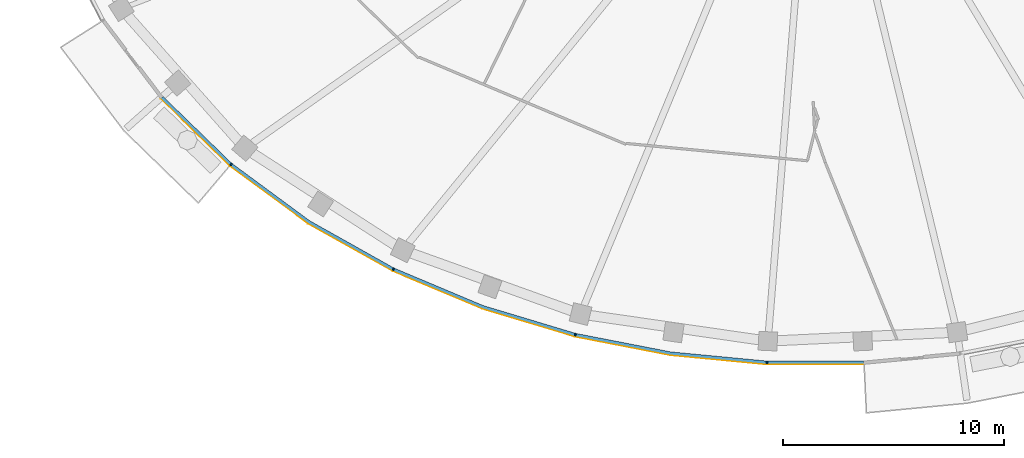
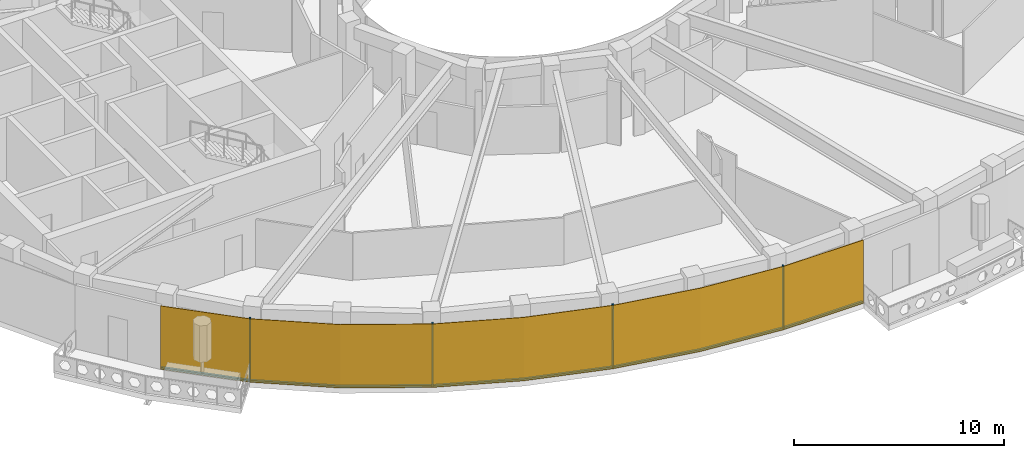
# One storey, part 12 of 20: 9 members, 1 curtain wall.
"""IFC4 building model written with IfcOpenShell, lengths in metres."""

from ifc_helpers import new_model, si_unit, direction, frame, origin, origin_2d, place, context, subcontext, project, spatial, polyline, rectangle, outline, extrude, material, layer, layer_set, material_profile, profile_set, type_object, element, aggregate, save


model = new_model("IFC4")

# Units and contexts
model_context = context("Model", 3, precision=1e-05, world=origin(), true_north=direction((0.0, 1.0)))
body_context = subcontext(model_context, "Body", "Model", "MODEL_VIEW")
ifc_project = project(units=[si_unit("LENGTHUNIT", "METRE"), si_unit("AREAUNIT", "SQUARE_METRE"), si_unit("VOLUMEUNIT", "CUBIC_METRE"), si_unit("PLANEANGLEUNIT", "RADIAN"), si_unit("MASSUNIT", "GRAM", prefix="KILO")], contexts=[model_context])

# Member
ifc_material_1 = material(Name="Aluminium 6063-T6 black anodised", Category="aluminium")
ifc_material_profile = material_profile(ifc_material_1, rectangle(XDim=0.1201171875, YDim=0.06005859375, at=origin_2d()), Name="120x60")
ifc_profile_set = profile_set([ifc_material_profile], Name="Aluminium 6063-T6 black anodised")
member_type_1 = type_object("IfcMemberType", Name="ENV-MULLION-A-120", PredefinedType="MULLION", material=ifc_profile_set)
site_placement = place(None, origin())
building_placement = place(site_placement, origin())
storey_placement = place(building_placement, frame((0.0, 0.0, 323.0)))
member_1_placement = place(storey_placement, frame((-26.403564453125, -18.9130859375, 0.0), z_axis=(0.0, 0.0, 1.0), x_axis=(0.646451313783, 0.762955240435, 0.0)))
member_1 = element("IfcMember", 1, at=member_1_placement, type_object=member_type_1, Name="Mullion A radial 29", PredefinedType="MULLION", context=body_context, shape_type="SweptSolid", body=[
    extrude(rectangle(XDim=0.1201171875, YDim=0.06005859375, at=origin_2d()), origin(), (0.0, 0.0, 1.0), 3.699951171875),
])

member_2_placement = place(storey_placement, frame((-19.06787109375, -23.6474609375, 0.0), z_axis=(0.0, 0.0, 1.0), x_axis=(0.439237769837, 0.898370848563, 0.0)))
member_2 = element("IfcMember", 2, at=member_2_placement, type_object=member_type_1, Name="Mullion A radial 31", PredefinedType="MULLION", context=body_context, shape_type="SweptSolid", body=[
    extrude(rectangle(XDim=0.1201171875, YDim=0.06005859375, at=origin_2d()), origin(), (0.0, 0.0, 1.0), 3.699951171875),
])

member_3_placement = place(storey_placement, frame((-10.84326171875, -26.60498046875, 0.0), z_axis=(0.0, 0.0, 1.0), x_axis=(0.239799081534, 0.970822538106, 0.0)))
member_3 = element("IfcMember", 3, at=member_3_placement, type_object=member_type_1, Name="Mullion A radial 33", PredefinedType="MULLION", context=body_context, shape_type="SweptSolid", body=[
    extrude(rectangle(XDim=0.1201171875, YDim=0.06005859375, at=origin_2d()), origin(), (0.0, 0.0, 1.0), 3.699951171875),
])

member_4_placement = place(storey_placement, frame((-2.188720703125, -27.856201171875, 0.0), z_axis=(0.0, 0.0, 1.0), x_axis=(0.047557873581, 0.998868484166, 0.0)))
member_4 = element("IfcMember", 4, at=member_4_placement, type_object=member_type_1, Name="Mullion A radial 35", PredefinedType="MULLION", context=body_context, shape_type="SweptSolid", body=[
    extrude(rectangle(XDim=0.1201171875, YDim=0.06005859375, at=origin_2d()), origin(), (0.0, 0.0, 1.0), 3.699951171875),
])

ifc_material_2 = material(Name="Aluminium 6063-T6 black anodised", Category="aluminium")
member_type_2 = type_object("IfcMemberType", Name="ENV-TRANSOM-A", PredefinedType="USERDEFINED", material=ifc_material_2)
member_5_placement = place(storey_placement, origin())
member_5 = element("IfcMember", 5, at=member_5_placement, type_object=member_type_2, Name="Transom A radial 28-29", ObjectType="TRANSOM", PredefinedType="USERDEFINED", context=body_context, shape_type="SweptSolid", body=[
    extrude(outline(polyline([(-29.569091796875, -15.9208984375), (-26.46240234375, -18.939208984375), (-26.384765625, -18.847412109375), (-29.47900390625, -15.841064453125), (-29.569091796875, -15.9208984375)])), origin(), (0.0, 0.0, 1.0), 0.10009765625),
])

member_6_placement = place(storey_placement, origin())
member_6 = element("IfcMember", 6, at=member_6_placement, type_object=member_type_2, Name="Transom A radial 29-31", ObjectType="TRANSOM", PredefinedType="USERDEFINED", context=body_context, shape_type="SweptSolid", body=[
    extrude(outline(polyline([(-26.419921875, -18.975341796875), (-22.9150390625, -21.556884765625), (-19.11865234375, -23.687744140625), (-19.06591796875, -23.57958984375), (-22.85009765625, -21.455810546875), (-26.342041015625, -18.883544921875), (-26.419921875, -18.975341796875)])), origin(), (0.0, 0.0, 1.0), 0.10009765625),
])

member_7_placement = place(storey_placement, origin())
member_7 = element("IfcMember", 7, at=member_7_placement, type_object=member_type_2, Name="Transom A radial 31-33", ObjectType="TRANSOM", PredefinedType="USERDEFINED", context=body_context, shape_type="SweptSolid", body=[
    extrude(outline(polyline([(-19.068359375, -23.71240234375), (-15.054443359375, -25.400146484375), (-10.884521484375, -26.655029296875), (-10.855712890625, -26.53857421875), (-15.013916015625, -25.287109375), (-19.015380859375, -23.604248046875), (-19.068359375, -23.71240234375)])), origin(), (0.0, 0.0, 1.0), 0.10009765625),
])

member_8_placement = place(storey_placement, origin())
member_8 = element("IfcMember", 8, at=member_8_placement, type_object=member_type_2, Name="Transom A radial 33-35", ObjectType="TRANSOM", PredefinedType="USERDEFINED", context=body_context, shape_type="SweptSolid", body=[
    extrude(outline(polyline([(-10.830078125, -26.66845703125), (-6.55517578125, -27.49951171875), (-2.219482421875, -27.913330078125), (-2.2138671875, -27.793212890625), (-6.537841796875, -27.380615234375), (-10.80126953125, -26.552001953125), (-10.830078125, -26.66845703125)])), origin(), (0.0, 0.0, 1.0), 0.10009765625),
])

member_9_placement = place(storey_placement, origin())
member_9 = element("IfcMember", 9, at=member_9_placement, type_object=member_type_2, Name="Transom A radial 35-36", ObjectType="TRANSOM", PredefinedType="USERDEFINED", context=body_context, shape_type="SweptSolid", body=[
    extrude(outline(polyline([(-2.163818359375, -27.916015625), (2.171630859375, -27.916015625), (2.166015625, -27.7958984375), (-2.157958984375, -27.7958984375), (-2.163818359375, -27.916015625)])), origin(), (0.0, 0.0, 1.0), 0.10009765625),
])

# Site, building, storey
site = spatial("IfcSite", under=ifc_project, at=site_placement, CompositionType="ELEMENT")
building = spatial("IfcBuilding", under=site, at=building_placement, Name="Noorbagh Ring Tower", CompositionType="ELEMENT")
storey = spatial("IfcBuildingStorey", under=building, at=storey_placement, Name="L70", CompositionType="ELEMENT", Elevation=323.0)

# Curtain wall
ifc_material_3 = material(Name="Glass dark tinted laminated", Category="glass")
ifc_layer = layer(ifc_material_3, 0.031982421875)
ifc_layer_set = layer_set([ifc_layer], Name="Glass dark tinted laminated")
curtain_wall_type = type_object("IfcCurtainWallType", Name="ENV-CW-A", PredefinedType="NOTDEFINED", material=ifc_layer_set)
curtain_wall_placement = place(storey_placement, origin())
curtain_wall = element("IfcCurtainWall", 10, at=curtain_wall_placement, inside=storey, type_object=curtain_wall_type, Name="Curtain wall A R28", PredefinedType="NOTDEFINED", context=body_context, shape_type="SweptSolid", body=[
    extrude(outline(polyline([(-29.59326171875, -15.942138671875), (-26.463134765625, -18.9833984375), (-22.9326171875, -21.583740234375), (-19.108154296875, -23.730224609375), (-15.065185546875, -25.430419921875), (-10.865234375, -26.6943359375), (-6.559814453125, -27.53125), (-2.193115234375, -27.947998046875), (2.173095703125, -27.947998046875), (2.171630859375, -27.916015625), (-2.191650390625, -27.916015625), (-6.55517578125, -27.49951171875), (-10.857666015625, -26.6630859375), (-15.054443359375, -25.400146484375), (-19.093994140625, -23.701416015625), (-22.9150390625, -21.556884765625), (-26.4423828125, -18.958740234375), (-29.569091796875, -15.9208984375), (-29.59326171875, -15.942138671875)])), origin(), (0.0, 0.0, 1.0), 3.699951171875),
])

aggregate(curtain_wall, [member_1, member_2, member_3, member_4, member_5, member_6, member_7, member_8, member_9])

save(model, "model.ifc")
